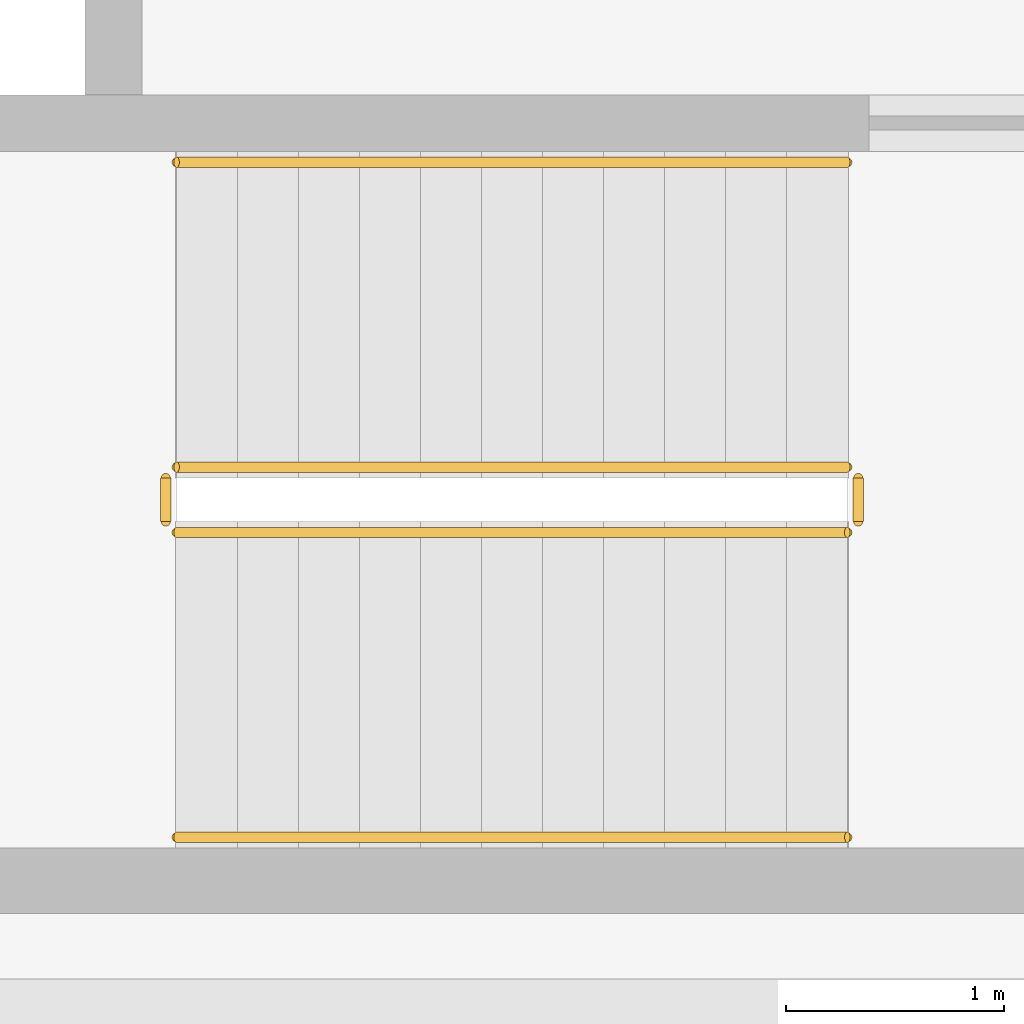
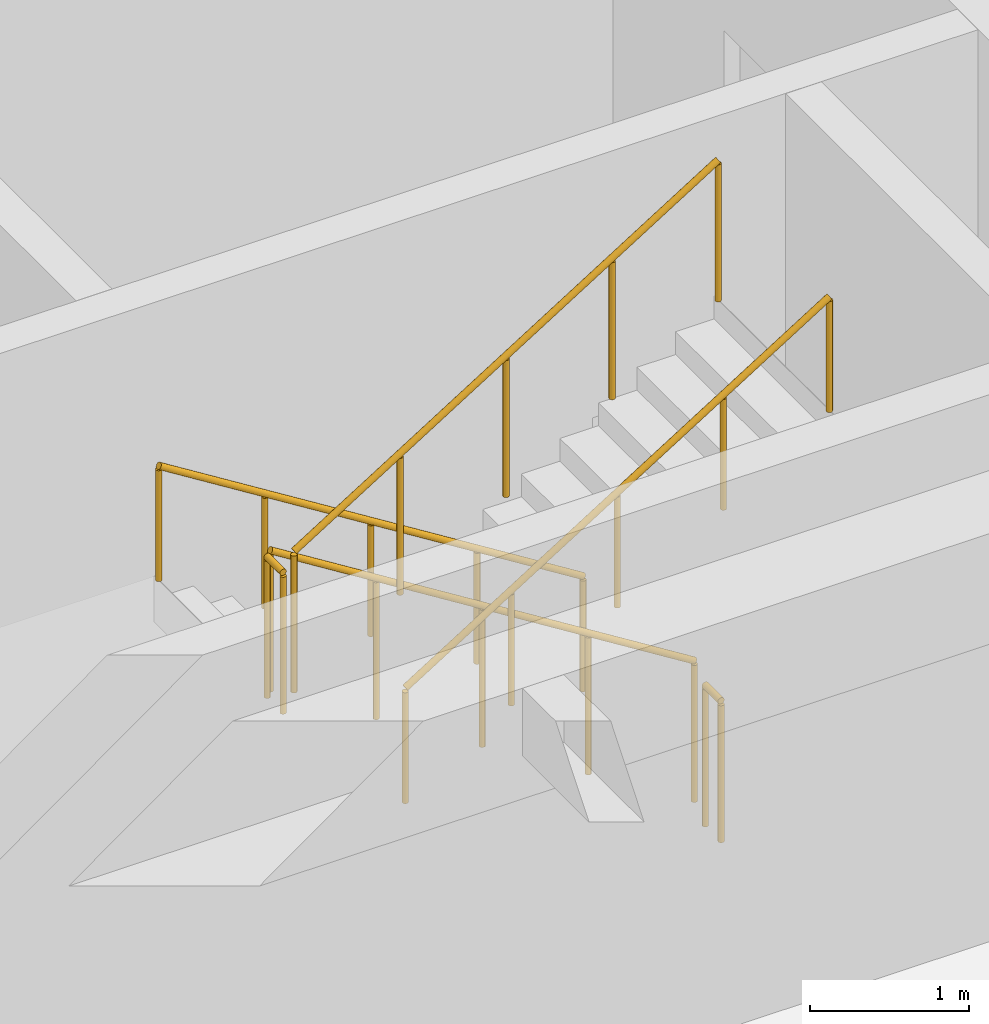
# One storey, part 22 of 28: 6 railings.
"""IFC4 building model written with IfcOpenShell, lengths in metres."""

from ifc_helpers import new_model, si_unit, direction, frame, origin, origin_2d, place, context, subcontext, project, spatial, circle, extrude, material, type_object, element, save


model = new_model("IFC4")

# Units and contexts
model_context = context("Model", 3, precision=1e-05, world=origin(), true_north=direction((0.0, 1.0)))
body_context = subcontext(model_context, "Body", "Model", "MODEL_VIEW")
ifc_project = project(units=[si_unit("LENGTHUNIT", "METRE"), si_unit("AREAUNIT", "SQUARE_METRE"), si_unit("VOLUMEUNIT", "CUBIC_METRE"), si_unit("PLANEANGLEUNIT", "RADIAN"), si_unit("MASSUNIT", "GRAM", prefix="KILO")], contexts=[model_context])

# Site, building, storey
site_placement = place(None, origin())
site = spatial("IfcSite", under=ifc_project, at=site_placement, CompositionType="ELEMENT")
building_placement = place(site_placement, origin())
building = spatial("IfcBuilding", under=site, at=building_placement, Name="Fikremerkos Civic Library", CompositionType="ELEMENT")
storey_placement = place(building_placement, frame((0.0, 0.0, -4.199951171875)))
storey = spatial("IfcBuildingStorey", under=building, at=storey_placement, Name="B01", CompositionType="ELEMENT", Elevation=-4.199951171875)

# Railings
ifc_material_1 = material(Name="Painted Steel S275", Category="steel")
railing_type_1 = type_object("IfcRailingType", Name="Interior balustrade guard RLG-INT 1100", PredefinedType="BALUSTRADE", material=ifc_material_1)
railing_1_placement = place(storey_placement, frame((53.5, 24.25, 0.175048828125)))
element("IfcRailing", 1, at=railing_1_placement, inside=storey, type_object=railing_type_1, Name="B01 ST-K3 stair guard 1", PredefinedType="BALUSTRADE", context=body_context, shape_type="SweptSolid", body=[
    extrude(circle(Radius=0.02392578125, at=origin_2d()), frame((0.0, 0.0, 1.076171875), z_axis=(-0.848028513186, 0.0, 0.529950602248), x_axis=(0.0, -1.0, 0.0)), (0.0, 0.0, 1.0), 3.632080078125),
    extrude(circle(Radius=0.02099609375, at=origin_2d()), origin(), (0.0, 0.0, 1.0), 1.052001953125),
    extrude(circle(Radius=0.02099609375, at=origin_2d()), frame((-0.77001953125, 0.0, 0.481201171875)), (0.0, 0.0, 1.0), 1.052001953125),
    extrude(circle(Radius=0.02099609375, at=origin_2d()), frame((-1.5400390625, 0.0, 0.96240234375)), (0.0, 0.0, 1.0), 1.052001953125),
    extrude(circle(Radius=0.02099609375, at=origin_2d()), frame((-2.31005859375, 0.0, 1.443603515625)), (0.0, 0.0, 1.0), 1.052001953125),
    extrude(circle(Radius=0.02099609375, at=origin_2d()), frame((-3.080078125, 0.0, 1.9248046875)), (0.0, 0.0, 1.0), 1.052001953125),
])
railing_2_placement = place(storey_placement, frame((50.3701171875, 24.199951171875, 2.099853515625)))
element("IfcRailing", 2, at=railing_2_placement, inside=storey, type_object=railing_type_1, Name="B01 ST-K3 stair guard 2", PredefinedType="BALUSTRADE", context=body_context, shape_type="SweptSolid", body=[
    extrude(circle(Radius=0.02392578125, at=origin_2d()), frame((0.0, 0.0, 1.076171875), z_axis=(0.0, -1.0, 0.0), x_axis=(1.0, 0.0, 0.0)), (0.0, 0.0, 1.0), 0.199951171875),
    extrude(circle(Radius=0.02099609375, at=origin_2d()), origin(), (0.0, 0.0, 1.0), 1.052001953125),
    extrude(circle(Radius=0.02099609375, at=origin_2d()), frame((0.0, -0.199951171875, 0.0)), (0.0, 0.0, 1.0), 1.052001953125),
])
railing_3_placement = place(storey_placement, frame((50.419921875, 23.949951171875, 2.27490234375)))
element("IfcRailing", 3, at=railing_3_placement, inside=storey, type_object=railing_type_1, Name="B01 ST-K3 stair guard 3", PredefinedType="BALUSTRADE", context=body_context, shape_type="SweptSolid", body=[
    extrude(circle(Radius=0.02392578125, at=origin_2d()), frame((0.0, 0.0, 1.076171875), z_axis=(0.847998304005, 0.0, 0.529998940003), x_axis=(0.0, 1.0, 0.0)), (0.0, 0.0, 1.0), 3.632080078125),
    extrude(circle(Radius=0.02099609375, at=origin_2d()), origin(), (0.0, 0.0, 1.0), 1.052001953125),
    extrude(circle(Radius=0.02099609375, at=origin_2d()), frame((0.77001953125, 0.0, 0.481201171875)), (0.0, 0.0, 1.0), 1.052001953125),
    extrude(circle(Radius=0.02099609375, at=origin_2d()), frame((1.5400390625, 0.0, 0.96240234375)), (0.0, 0.0, 1.0), 1.052001953125),
    extrude(circle(Radius=0.02099609375, at=origin_2d()), frame((2.31005859375, 0.0, 1.44384765625)), (0.0, 0.0, 1.0), 1.052001953125),
    extrude(circle(Radius=0.02099609375, at=origin_2d()), frame((3.080078125, 0.0, 1.925048828125)), (0.0, 0.0, 1.0), 1.052001953125),
])
railing_4_placement = place(storey_placement, frame((53.550048828125, 24.199951171875, 0.0)))
element("IfcRailing", 4, at=railing_4_placement, inside=storey, type_object=railing_type_1, Name="B01 ST-K3 stair guard 4", PredefinedType="BALUSTRADE", context=body_context, shape_type="SweptSolid", body=[
    extrude(circle(Radius=0.02392578125, at=origin_2d()), frame((0.0, 0.0, 1.076171875), z_axis=(0.0, -1.0, 0.0), x_axis=(1.0, 0.0, 0.0)), (0.0, 0.0, 1.0), 0.199951171875),
    extrude(circle(Radius=0.02099609375, at=origin_2d()), origin(), (0.0, 0.0, 1.0), 1.052001953125),
    extrude(circle(Radius=0.02099609375, at=origin_2d()), frame((0.0, -0.199951171875, 0.0)), (0.0, 0.0, 1.0), 1.052001953125),
])
ifc_material_2 = material(Name="Brushed stainless steel", Category="steel")
railing_type_2 = type_object("IfcRailingType", Name="Wall and flight handrail HRL-01 900", PredefinedType="HANDRAIL", material=ifc_material_2)
railing_5_placement = place(storey_placement, frame((53.5, 25.64990234375, 0.175048828125)))
element("IfcRailing", 5, at=railing_5_placement, inside=storey, type_object=railing_type_2, Name="B01 ST-K3 stair handrail 1", PredefinedType="HANDRAIL", context=body_context, shape_type="SweptSolid", body=[
    extrude(circle(Radius=0.02392578125, at=origin_2d()), frame((0.0, 0.0, 0.8759765625), z_axis=(-0.848028513186, 0.0, 0.529950602248), x_axis=(0.0, -1.0, 0.0)), (0.0, 0.0, 1.0), 3.632080078125),
    extrude(circle(Radius=0.02099609375, at=origin_2d()), origin(), (0.0, 0.0, 1.0), 0.851806640625),
    extrude(circle(Radius=0.02099609375, at=origin_2d()), frame((-0.77001953125, 0.0, 0.481201171875)), (0.0, 0.0, 1.0), 0.851806640625),
    extrude(circle(Radius=0.02099609375, at=origin_2d()), frame((-1.5400390625, 0.0, 0.96240234375)), (0.0, 0.0, 1.0), 0.851806640625),
    extrude(circle(Radius=0.02099609375, at=origin_2d()), frame((-2.31005859375, 0.0, 1.443603515625)), (0.0, 0.0, 1.0), 0.851806640625),
    extrude(circle(Radius=0.02099609375, at=origin_2d()), frame((-3.080078125, 0.0, 1.9248046875)), (0.0, 0.0, 1.0), 0.851806640625),
])
railing_6_placement = place(storey_placement, frame((50.419921875, 22.550048828125, 2.27490234375)))
element("IfcRailing", 6, at=railing_6_placement, inside=storey, type_object=railing_type_2, Name="B01 ST-K3 stair handrail 2", PredefinedType="HANDRAIL", context=body_context, shape_type="SweptSolid", body=[
    extrude(circle(Radius=0.02392578125, at=origin_2d()), frame((0.0, 0.0, 0.8759765625), z_axis=(0.847998304005, 0.0, 0.529998940003), x_axis=(0.0, 1.0, 0.0)), (0.0, 0.0, 1.0), 3.632080078125),
    extrude(circle(Radius=0.02099609375, at=origin_2d()), origin(), (0.0, 0.0, 1.0), 0.851806640625),
    extrude(circle(Radius=0.02099609375, at=origin_2d()), frame((0.77001953125, 0.0, 0.481201171875)), (0.0, 0.0, 1.0), 0.851806640625),
    extrude(circle(Radius=0.02099609375, at=origin_2d()), frame((1.5400390625, 0.0, 0.96240234375)), (0.0, 0.0, 1.0), 0.851806640625),
    extrude(circle(Radius=0.02099609375, at=origin_2d()), frame((2.31005859375, 0.0, 1.44384765625)), (0.0, 0.0, 1.0), 0.851806640625),
    extrude(circle(Radius=0.02099609375, at=origin_2d()), frame((3.080078125, 0.0, 1.925048828125)), (0.0, 0.0, 1.0), 0.851806640625),
])

save(model, "model.ifc")
